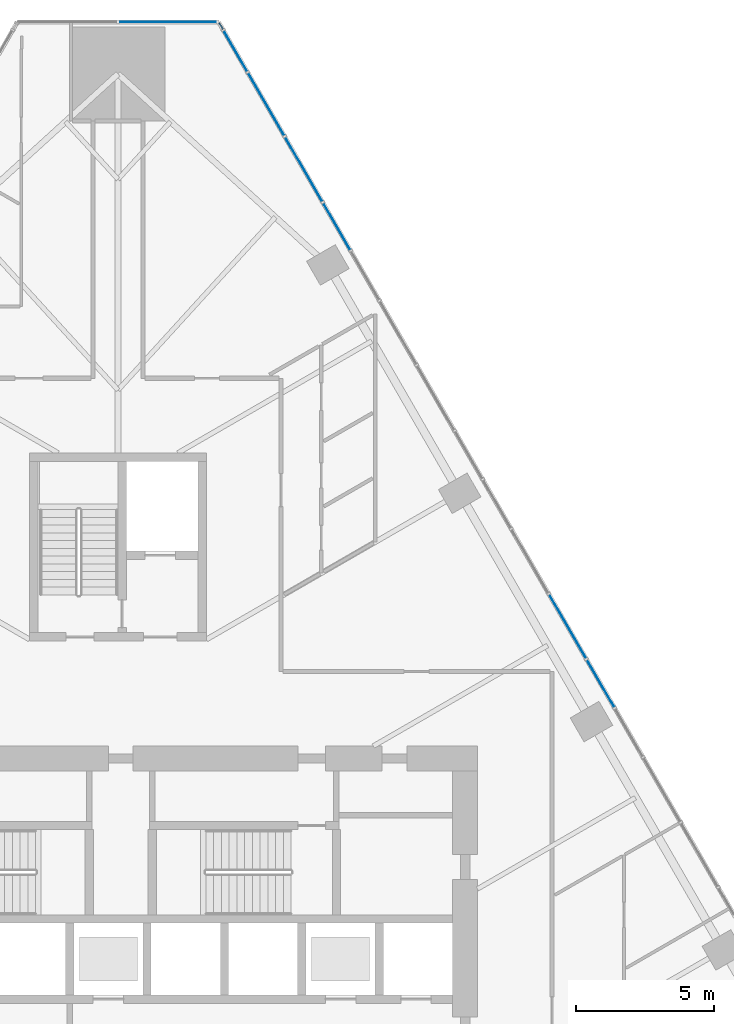
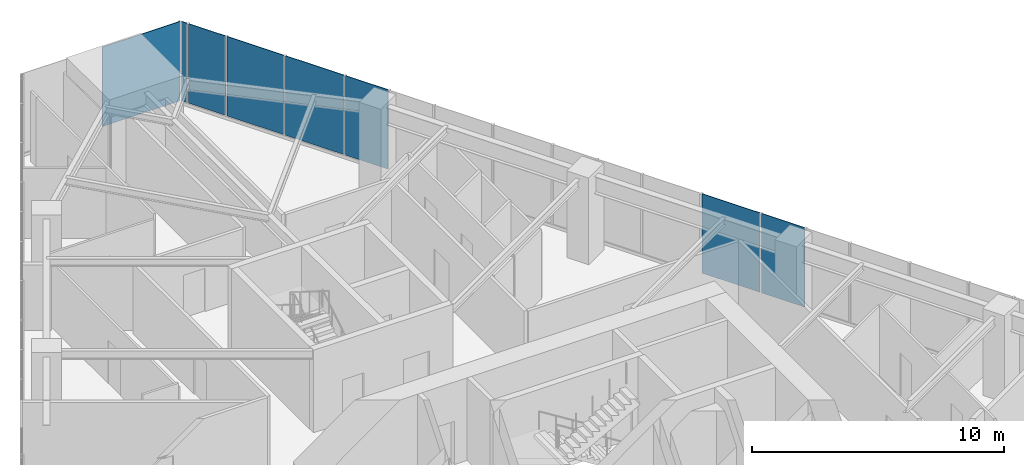
# One storey, part 18 of 26: 8 plates, 2 elements without a shape of their own.
"""IFC4 building model written with IfcOpenShell, lengths in metres."""

from ifc_helpers import new_model, si_unit, direction, frame, origin, place, context, subcontext, project, spatial, polyline, outline, extrude, material, layer, layer_set, type_object, element, aggregate, save


model = new_model("IFC4")

# Units and contexts
model_context = context("Model", 3, precision=1e-05, world=origin(), true_north=direction((0.0, 1.0)))
body_context = subcontext(model_context, "Body", "Model", "MODEL_VIEW")
ifc_project = project(units=[si_unit("LENGTHUNIT", "METRE"), si_unit("AREAUNIT", "SQUARE_METRE"), si_unit("VOLUMEUNIT", "CUBIC_METRE"), si_unit("PLANEANGLEUNIT", "RADIAN"), si_unit("MASSUNIT", "GRAM", prefix="KILO")], contexts=[model_context])

# Site, building, storey
site_placement = place(None, origin())
site = spatial("IfcSite", under=ifc_project, at=site_placement, CompositionType="ELEMENT")
building_placement = place(site_placement, origin())
building = spatial("IfcBuilding", under=site, at=building_placement, Name="Firuza Gate Tower and Library", CompositionType="ELEMENT")
storey_placement = place(building_placement, frame((0.0, 0.0, 65.199951171875)))
storey = spatial("IfcBuildingStorey", under=building, at=storey_placement, Name="L14", CompositionType="ELEMENT", Elevation=65.199951171875)

# Curtain wall, plate
ifc_material_1 = material(Name="Aluminium 6063-T6", Category="aluminium")
ifc_layer_1 = layer(ifc_material_1, 0.14990234375)
ifc_layer_set_1 = layer_set([ifc_layer_1], Name="Corner curtain wall, chamfers")
curtain_wall_type_1 = type_object("IfcCurtainWallType", Name="Corner curtain wall, chamfers", PredefinedType="NOTDEFINED", material=ifc_layer_set_1)
placement = place(storey_placement, origin())
curtain_wall_1 = element("IfcCurtainWall", 1, at=placement, inside=storey, type_object=curtain_wall_type_1, Name="CW4 L14 N corner", PredefinedType="NOTDEFINED")
ifc_material_2 = material(Name="Fritted glass", Category="glass")
ifc_layer_2 = layer(ifc_material_2, 0.030029296875)
ifc_layer_set_2 = layer_set([ifc_layer_2], Name="Fritted glass unit, corners")
plate_type_1 = type_object("IfcPlateType", Name="Fritted glass unit, corners", PredefinedType="CURTAIN_PANEL", material=ifc_layer_set_2)
plate_1_placement = place(storey_placement, frame((78.603271484375, 110.19677734375, 0.150146484375), z_axis=(0.0, 1.0, 0.0), x_axis=(-1.0, 0.0, 0.0)))
plate_1 = element("IfcPlate", 2, at=plate_1_placement, type_object=plate_type_1, Name="Glass unit", PredefinedType="CURTAIN_PANEL", context=body_context, shape_type="SweptSolid", body=[
    extrude(outline(polyline([(0.0, 0.0), (3.563232421875, 0.0), (3.563232421875, 3.849853515625), (0.0, 3.849853515625), (0.0, 0.0)])), origin(), (0.0, 0.0, -1.0), 0.030029296875),
])
aggregate(curtain_wall_1, [plate_1])

# Curtain wall, plates
ifc_material_3 = material(Name="Aluminium 6063-T6", Category="aluminium")
ifc_layer_3 = layer(ifc_material_3, 0.14990234375)
ifc_layer_set_3 = layer_set([ifc_layer_3], Name="Unitised curtain wall, offices")
curtain_wall_type_2 = type_object("IfcCurtainWallType", Name="Unitised curtain wall, offices", PredefinedType="NOTDEFINED", material=ifc_layer_set_3)
curtain_wall_2 = element("IfcCurtainWall", 3, at=placement, inside=storey, type_object=curtain_wall_type_2, Name="CW1 L14 E face", PredefinedType="NOTDEFINED")
ifc_material_4 = material(Name="Fritted glass", Category="glass")
ifc_layer_4 = layer(ifc_material_4, 0.030029296875)
ifc_layer_set_4 = layer_set([ifc_layer_4], Name="Fritted glass unit, offices")
plate_type_2 = type_object("IfcPlateType", Name="Fritted glass unit, offices", PredefinedType="CURTAIN_PANEL", material=ifc_layer_set_4)
plate_2_placement = place(storey_placement, frame((92.959716796875, 85.415283203125, 0.150146484375), z_axis=(0.866022523296, 0.500004989119, 0.0), x_axis=(-0.500004989119, 0.866022523296, 0.0)))
plate_2 = element("IfcPlate", 4, at=plate_2_placement, type_object=plate_type_2, Name="Glass unit", PredefinedType="CURTAIN_PANEL", context=body_context, shape_type="SweptSolid", body=[
    extrude(outline(polyline([(0.0, 0.0), (1.969706908294862, 0.0), (1.969706908294862, 3.849853515625), (0.0, 3.849853515625), (0.0, 0.0)])), origin(), (0.0, 0.0, -1.0), 0.030029296875),
])
plate_3_placement = place(storey_placement, frame((83.41064453125, 101.954345703125, 0.150146484375), z_axis=(0.866082951075, 0.49990031192, 0.0), x_axis=(-0.49990031192, 0.866082951075, 0.0)))
plate_3 = element("IfcPlate", 5, at=plate_3_placement, type_object=plate_type_2, Name="Glass unit", PredefinedType="CURTAIN_PANEL", context=body_context, shape_type="SweptSolid", body=[
    extrude(outline(polyline([(0.0, 0.0), (1.9408166400682352, 0.0), (1.9408166400682352, 3.849853515625), (0.0, 3.849853515625), (0.0, 0.0)])), origin(), (0.0, 0.0, -1.0), 0.030029296875),
])
plate_4_placement = place(storey_placement, frame((79.682861328125, 108.411376953125, 0.150146484375), z_axis=(0.865992196602, 0.500057512117, 0.0), x_axis=(-0.500057512117, 0.865992196602, 0.0)))
plate_4 = element("IfcPlate", 6, at=plate_4_placement, type_object=plate_type_2, Name="Glass unit", PredefinedType="CURTAIN_PANEL", context=body_context, shape_type="SweptSolid", body=[
    extrude(outline(polyline([(0.0, 0.0), (1.6819354429125748, 0.0), (1.6819354429125748, 3.849853515625), (0.0, 3.849853515625), (0.0, 0.0)])), origin(), (0.0, 0.0, -1.0), 0.030029296875),
])
ifc_material_5 = material(Name="Glazed ceramic tile")
ifc_layer_5 = layer(ifc_material_5, 0.030029296875)
ifc_layer_set_5 = layer_set([ifc_layer_5], Name="Opaque ceramic panel, offices")
plate_type_3 = type_object("IfcPlateType", Name="Opaque ceramic panel, offices", PredefinedType="CURTAIN_PANEL", material=ifc_layer_set_5)
plate_5_placement = place(storey_placement, frame((91.934814453125, 87.190185546875, 0.150146484375), z_axis=(0.86601342167, 0.500020753057, 0.0), x_axis=(-0.500020753057, 0.86601342167, 0.0)))
plate_5 = element("IfcPlate", 7, at=plate_5_placement, type_object=plate_type_3, Name="Opaque ceramic panel", PredefinedType="CURTAIN_PANEL", context=body_context, shape_type="SweptSolid", body=[
    extrude(outline(polyline([(0.0, 0.0), (2.6449097513223254, 0.0), (2.6449097513223254, 3.849853515625), (0.0, 3.849853515625), (0.0, 0.0)])), origin(), (0.0, 0.0, -1.0), 0.030029296875),
])
plate_6_placement = place(storey_placement, frame((82.400390625, 103.704345703125, 0.150146484375), z_axis=(0.86600919026, 0.500028081597, 0.0), x_axis=(-0.500028081597, 0.86600919026, 0.0)))
plate_6 = element("IfcPlate", 8, at=plate_6_placement, type_object=plate_type_3, Name="Opaque ceramic panel", PredefinedType="CURTAIN_PANEL", context=body_context, shape_type="SweptSolid", body=[
    extrude(outline(polyline([(0.0, 0.0), (2.67367796270729, 0.0), (2.67367796270729, 3.849853515625), (0.0, 3.849853515625), (0.0, 0.0)])), origin(), (0.0, 0.0, -1.0), 0.030029296875),
])
plate_7_placement = place(storey_placement, frame((81.0234375, 106.089111328125, 0.150146484375), z_axis=(0.866057436843, 0.499944513011, 0.0), x_axis=(-0.499944513011, 0.866057436843, 0.0)))
plate_7 = element("IfcPlate", 9, at=plate_7_placement, type_object=plate_type_3, Name="Opaque ceramic panel", PredefinedType="CURTAIN_PANEL", context=body_context, shape_type="SweptSolid", body=[
    extrude(outline(polyline([(0.0, 0.0), (2.6013629023418336, 0.0), (2.6013629023418336, 3.849853515625), (0.0, 3.849853515625), (0.0, 0.0)])), origin(), (0.0, 0.0, -1.0), 0.030029296875),
])
plate_8_placement = place(storey_placement, frame((78.802001953125, 109.93701171875, 0.150146484375), z_axis=(0.865780878536, 0.500423291185, 0.0), x_axis=(-0.500423291185, 0.865780878536, 0.0)))
plate_8 = element("IfcPlate", 10, at=plate_8_placement, type_object=plate_type_3, Name="Opaque ceramic panel", PredefinedType="CURTAIN_PANEL", context=body_context, shape_type="SweptSolid", body=[
    extrude(outline(polyline([(0.0, 0.0), (0.2512521381192305, 0.0), (0.2512521381192305, 3.849853515625), (0.0, 3.849853515625), (0.0, 0.0)])), origin(), (0.0, 0.0, -1.0), 0.030029296875),
])
aggregate(curtain_wall_2, [plate_2, plate_5, plate_3, plate_6, plate_7, plate_4, plate_8])

save(model, "model.ifc")
